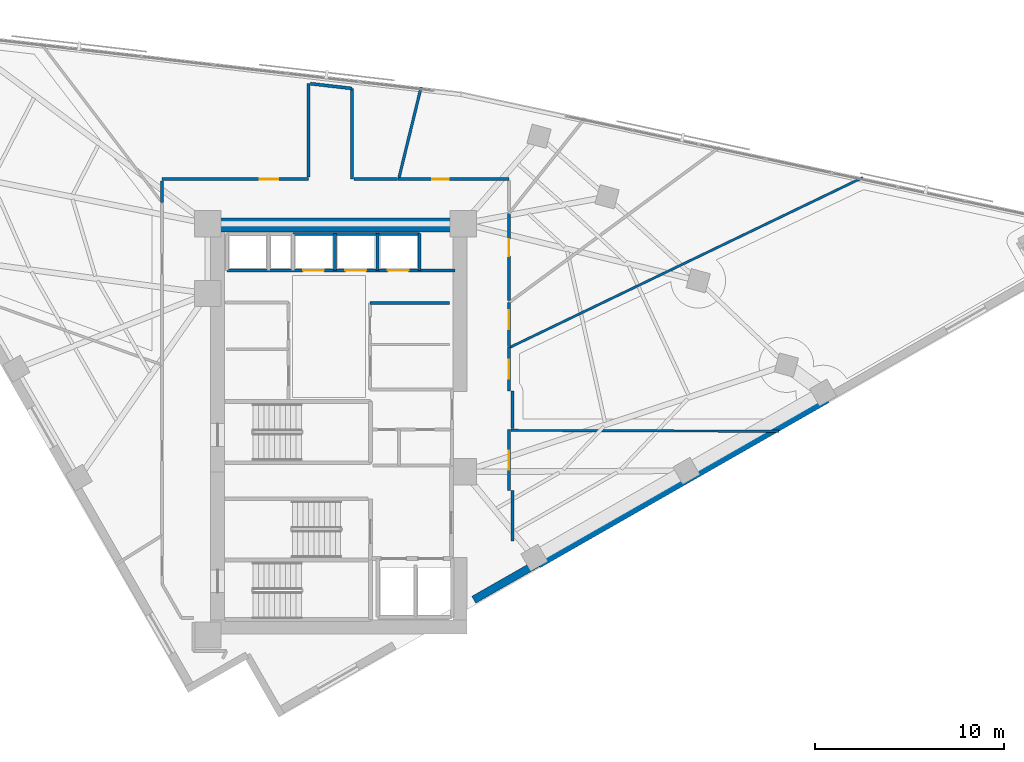
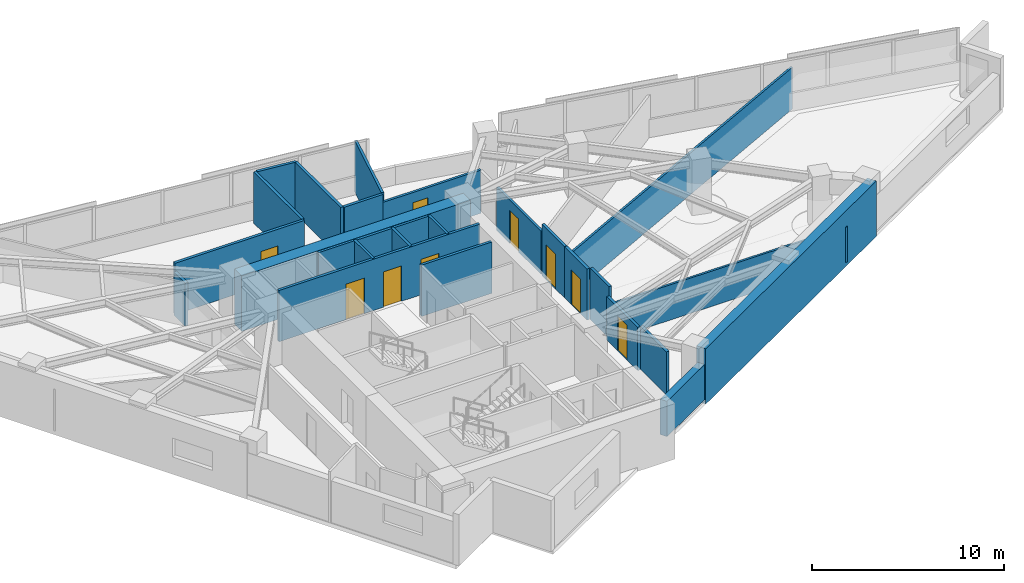
# One storey, part 10 of 14: 25 walls, 9 doors, 9 openings.
"""IFC4 building model written with IfcOpenShell, lengths in metres."""

from ifc_helpers import new_model, si_unit, direction, frame, frame_2d, origin, place, context, subcontext, project, spatial, rectangle, extrude, material, layer, layer_set, type_object, element, fill, save


model = new_model("IFC4")

# Units and contexts
model_context = context("Model", 3, precision=1e-05, world=origin(), true_north=direction((0.0, 1.0)))
body_context = subcontext(model_context, "Body", "Model", "MODEL_VIEW")
ifc_project = project(units=[si_unit("LENGTHUNIT", "METRE"), si_unit("AREAUNIT", "SQUARE_METRE"), si_unit("VOLUMEUNIT", "CUBIC_METRE"), si_unit("PLANEANGLEUNIT", "RADIAN"), si_unit("MASSUNIT", "GRAM", prefix="KILO")], contexts=[model_context])

# Site, building, storey
site_placement = place(None, origin())
site = spatial("IfcSite", under=ifc_project, at=site_placement, CompositionType="ELEMENT")
building_placement = place(site_placement, origin())
building = spatial("IfcBuilding", under=site, at=building_placement, Name="Narakoshi Arena Tower", CompositionType="ELEMENT")
storey_placement = place(building_placement, frame((0.0, 0.0, 204.419921875)))
storey = spatial("IfcBuildingStorey", under=building, at=storey_placement, Name="L55", CompositionType="ELEMENT", Elevation=204.419921875)

# Wall
ifc_material_1 = material(Name="Concrete C50/60", Category="concrete")
ifc_layer_1 = layer(ifc_material_1, 0.75)
ifc_layer_set_1 = layer_set([ifc_layer_1], Name="Concrete C50/60")
wall_type_1 = type_object("IfcWallType", Name="WL-CORE-750", PredefinedType="SHEAR", material=ifc_layer_set_1)
wall_1_placement = place(storey_placement, frame((72.0, 56.425048828125, -0.260009765625), z_axis=(0.0, 0.0, 1.0), x_axis=(1.0, 0.0, 0.0)))
element("IfcWall", 1, at=wall_1_placement, inside=storey, type_object=wall_type_1, Name="L55 Main Core Shear Wall CW-MN-N", PredefinedType="SHEAR", context=body_context, shape_type="SweptSolid", body=[
    extrude(rectangle(XDim=13.75, YDim=0.75, at=frame_2d((6.875, 0.0))), origin(), (0.0, 0.0, 1.0), 3.52001953125),
])

# Wall, opening, door
ifc_material_2 = material(Name="Gypsum plasterboard fire-rated partition")
ifc_layer_2 = layer(ifc_material_2, 0.1650390625)
ifc_layer_set_2 = layer_set([ifc_layer_2], Name="Gypsum plasterboard fire-rated partition")
wall_type_2 = type_object("IfcWallType", Name="WL-CORR-165", PredefinedType="PARTITIONING", material=ifc_layer_set_2)
wall_2_placement = place(storey_placement, frame((87.966796875, 42.35009765625, 0.0), z_axis=(0.0, 0.0, 1.0), x_axis=(0.0, 1.0, 0.0)))
wall_2 = element("IfcWall", 2, at=wall_2_placement, inside=storey, type_object=wall_type_2, Name="L55 Corridor Partition 02-1", PredefinedType="PARTITIONING", context=body_context, shape_type="SweptSolid", body=[
    extrude(rectangle(XDim=3.22998046875, YDim=0.1650390625, at=frame_2d((1.614990234375, 0.0))), origin(), (0.0, 0.0, 1.0), 2.7451171875),
])
opening_1_placement = place(wall_2_placement, frame((1.114990234375, 0.0, 0.0)))
opening_1 = element("IfcOpeningElement", 3, at=opening_1_placement, cuts=wall_2, Name="Opening D-06", PredefinedType="OPENING", context=body_context, shape_type="SweptSolid", body=[
    extrude(rectangle(XDim=1.0, YDim=2.199951171875, at=frame_2d((0.5, 1.10009765625))), frame((0.0, 0.092529296875, 0.0), z_axis=(0.0, -1.0, 0.0), x_axis=(1.0, 0.0, 0.0)), (0.0, 0.0, 1.0), 0.18505859375),
])
ifc_material_3 = material(Name="Stained oak solid-core timber", Category="wood")
door_type_1 = type_object("IfcDoorType", Name="DR-OFF-1000", OperationType="NOTDEFINED", PredefinedType="DOOR", material=ifc_material_3)
door_1_placement = place(opening_1_placement, frame((1.0, 0.0, 0.0), z_axis=(0.0, 0.0, 1.0), x_axis=(-1.0, 0.0, 0.0)))
door_1 = element("IfcDoor", 4, at=door_1_placement, inside=storey, type_object=door_type_1, Name="DR-L55-018", OperationType="SINGLE_SWING_RIGHT", OverallHeight=2.199951171875, OverallWidth=1.0, PredefinedType="DOOR", context=body_context, shape_type="SweptSolid", body=[
    extrude(rectangle(XDim=1.0, YDim=2.199951171875, at=frame_2d((0.5, 1.10009765625))), frame((0.0, 0.02490234375, 0.0), z_axis=(0.0, -1.0, 0.0), x_axis=(1.0, 0.0, 0.0)), (0.0, 0.0, 1.0), 0.050048828125),
])
fill(opening_1, door_1)

# Wall
wall_3_placement = place(storey_placement, frame((88.14990234375, 39.669189453125, 0.0), z_axis=(0.0, 0.0, 1.0), x_axis=(0.0, 1.0, 0.0)))
element("IfcWall", 5, at=wall_3_placement, inside=storey, type_object=wall_type_2, Name="L55 Corridor Partition 02-2", PredefinedType="PARTITIONING", context=body_context, shape_type="SweptSolid", body=[
    extrude(rectangle(XDim=2.680908203125, YDim=0.1650390625, at=frame_2d((1.34033203125, 0.0))), origin(), (0.0, 0.0, 1.0), 2.7451171875),
])

# Wall, opening, door
wall_4_placement = place(storey_placement, frame((87.966796875, 47.6201171875, 0.0), z_axis=(0.0, 0.0, 1.0), x_axis=(0.0, 1.0, 0.0)))
wall_4 = element("IfcWall", 6, at=wall_4_placement, inside=storey, type_object=wall_type_2, Name="L55 Corridor Partition 03-1", PredefinedType="PARTITIONING", context=body_context, shape_type="SweptSolid", body=[
    extrude(rectangle(XDim=2.3349609375, YDim=0.1650390625, at=frame_2d((1.16748046875, 0.0))), origin(), (0.0, 0.0, 1.0), 3.260009765625),
])
opening_2_placement = place(wall_4_placement, frame((0.66748046875, 0.0, 0.0)))
opening_2 = element("IfcOpeningElement", 7, at=opening_2_placement, cuts=wall_4, Name="Opening D-06", PredefinedType="OPENING", context=body_context, shape_type="SweptSolid", body=[
    extrude(rectangle(XDim=1.0, YDim=2.199951171875, at=frame_2d((0.5, 1.10009765625))), frame((0.0, 0.092529296875, 0.0), z_axis=(0.0, -1.0, 0.0), x_axis=(1.0, 0.0, 0.0)), (0.0, 0.0, 1.0), 0.18505859375),
])
door_2_placement = place(opening_2_placement, frame((1.0, 0.0, 0.0), z_axis=(0.0, 0.0, 1.0), x_axis=(-1.0, 0.0, 0.0)))
door_2 = element("IfcDoor", 8, at=door_2_placement, inside=storey, type_object=door_type_1, Name="DR-L55-019", OperationType="SINGLE_SWING_LEFT", OverallHeight=2.199951171875, OverallWidth=1.0, PredefinedType="DOOR", context=body_context, shape_type="SweptSolid", body=[
    extrude(rectangle(XDim=1.0, YDim=2.199951171875, at=frame_2d((0.5, 1.10009765625))), frame((0.0, 0.02490234375, 0.0), z_axis=(0.0, -1.0, 0.0), x_axis=(1.0, 0.0, 0.0)), (0.0, 0.0, 1.0), 0.050048828125),
])
fill(opening_2, door_2)

# Wall
wall_5_placement = place(storey_placement, frame((88.14990234375, 45.64990234375, 0.0), z_axis=(0.0, 0.0, 1.0), x_axis=(0.0, 1.0, 0.0)))
element("IfcWall", 9, at=wall_5_placement, inside=storey, type_object=wall_type_2, Name="L55 Corridor Partition 03-2", PredefinedType="PARTITIONING", context=body_context, shape_type="SweptSolid", body=[
    extrude(rectangle(XDim=1.97021484375, YDim=0.1650390625, at=frame_2d((0.985107421875, 0.0))), origin(), (0.0, 0.0, 1.0), 3.260009765625),
])

# Wall, opening, door
wall_6_placement = place(storey_placement, frame((87.966796875, 49.981689453125, 0.0), z_axis=(0.0, 0.0, 1.0), x_axis=(0.0, 1.0, 0.0)))
wall_6 = element("IfcWall", 10, at=wall_6_placement, inside=storey, type_object=wall_type_2, Name="L55 Corridor Partition 04-1", PredefinedType="PARTITIONING", context=body_context, shape_type="SweptSolid", body=[
    extrude(rectangle(XDim=2.335205078125, YDim=0.1650390625, at=frame_2d((1.16748046875, 0.0))), origin(), (0.0, 0.0, 1.0), 3.260009765625),
])
opening_3_placement = place(wall_6_placement, frame((0.929443359375, 0.0, 0.0)))
opening_3 = element("IfcOpeningElement", 11, at=opening_3_placement, cuts=wall_6, Name="Opening D-06", PredefinedType="OPENING", context=body_context, shape_type="SweptSolid", body=[
    extrude(rectangle(XDim=1.0, YDim=2.199951171875, at=frame_2d((0.5, 1.10009765625))), frame((0.0, 0.092529296875, 0.0), z_axis=(0.0, -1.0, 0.0), x_axis=(1.0, 0.0, 0.0)), (0.0, 0.0, 1.0), 0.18505859375),
])
door_3_placement = place(opening_3_placement, frame((1.0, 0.0, 0.0), z_axis=(0.0, 0.0, 1.0), x_axis=(-1.0, 0.0, 0.0)))
door_3 = element("IfcDoor", 12, at=door_3_placement, inside=storey, type_object=door_type_1, Name="DR-L55-020", OperationType="SINGLE_SWING_RIGHT", OverallHeight=2.199951171875, OverallWidth=1.0, PredefinedType="DOOR", context=body_context, shape_type="SweptSolid", body=[
    extrude(rectangle(XDim=1.0, YDim=2.199951171875, at=frame_2d((0.5, 1.10009765625))), frame((0.0, 0.02490234375, 0.0), z_axis=(0.0, -1.0, 0.0), x_axis=(1.0, 0.0, 0.0)), (0.0, 0.0, 1.0), 0.050048828125),
])
fill(opening_3, door_3)

wall_7_placement = place(storey_placement, frame((77.35009765625, 58.86669921875, 0.0), z_axis=(0.0, 0.0, 1.0), x_axis=(-1.0, 0.0, 0.0)))
wall_7 = element("IfcWall", 13, at=wall_7_placement, inside=storey, type_object=wall_type_2, Name="L55 Corridor Partition 07-1", PredefinedType="PARTITIONING", context=body_context, shape_type="SweptSolid", body=[
    extrude(rectangle(XDim=7.766845703125, YDim=0.1650390625, at=frame_2d((3.88330078125, 0.0))), origin(), (0.0, 0.0, 1.0), 3.260009765625),
])
opening_4_placement = place(wall_7_placement, frame((1.6005859375, 0.0, 0.0)))
opening_4 = element("IfcOpeningElement", 14, at=opening_4_placement, cuts=wall_7, Name="Opening D-06", PredefinedType="OPENING", context=body_context, shape_type="SweptSolid", body=[
    extrude(rectangle(XDim=1.0, YDim=2.199951171875, at=frame_2d((0.5, 1.10009765625))), frame((0.0, 0.092529296875, 0.0), z_axis=(0.0, -1.0, 0.0), x_axis=(1.0, 0.0, 0.0)), (0.0, 0.0, 1.0), 0.18505859375),
])
door_4_placement = place(opening_4_placement, frame((1.0, 0.0, 0.0), z_axis=(0.0, 0.0, 1.0), x_axis=(-1.0, 0.0, 0.0)))
door_4 = element("IfcDoor", 15, at=door_4_placement, inside=storey, type_object=door_type_1, Name="DR-L55-023", OperationType="SINGLE_SWING_LEFT", OverallHeight=2.199951171875, OverallWidth=1.0, PredefinedType="DOOR", context=body_context, shape_type="SweptSolid", body=[
    extrude(rectangle(XDim=1.0, YDim=2.199951171875, at=frame_2d((0.5, 1.10009765625))), frame((0.0, 0.02490234375, 0.0), z_axis=(0.0, -1.0, 0.0), x_axis=(1.0, 0.0, 0.0)), (0.0, 0.0, 1.0), 0.050048828125),
])
fill(opening_4, door_4)

# Walls
wall_8_placement = place(storey_placement, frame((77.35009765625, 63.930908203125, 0.0), z_axis=(0.0, 0.0, 1.0), x_axis=(0.0, -1.0, 0.0)))
element("IfcWall", 16, at=wall_8_placement, inside=storey, type_object=wall_type_2, Name="L55 Corridor Partition 07-2", PredefinedType="PARTITIONING", context=body_context, shape_type="SweptSolid", body=[
    extrude(rectangle(XDim=4.9697265625, YDim=0.1650390625, at=frame_2d((2.48486328125, 0.0))), origin(), (0.0, 0.0, 1.0), 3.260009765625),
])
wall_9_placement = place(storey_placement, frame((79.64990234375, 58.86669921875, 0.0), z_axis=(0.0, 0.0, 1.0), x_axis=(0.0, 1.0, 0.0)))
element("IfcWall", 17, at=wall_9_placement, inside=storey, type_object=wall_type_2, Name="L55 Corridor Partition 07-3", PredefinedType="PARTITIONING", context=body_context, shape_type="SweptSolid", body=[
    extrude(rectangle(XDim=4.7978515625, YDim=0.1650390625, at=frame_2d((2.39892578125, 0.0))), origin(), (0.0, 0.0, 1.0), 3.260009765625),
])
wall_10_placement = place(storey_placement, frame((82.05859375, 58.86669921875, 0.0), z_axis=(0.0, 0.0, 1.0), x_axis=(-1.0, 0.0, 0.0)))
element("IfcWall", 18, at=wall_10_placement, inside=storey, type_object=wall_type_2, Name="L55 Corridor Partition 07-4", PredefinedType="PARTITIONING", context=body_context, shape_type="SweptSolid", body=[
    extrude(rectangle(XDim=2.314208984375, YDim=0.1650390625, at=frame_2d((1.1572265625, 0.0))), origin(), (0.0, 0.0, 1.0), 3.260009765625),
])
wall_11_placement = place(storey_placement, frame((79.64990234375, 63.66455078125, 0.0), z_axis=(0.0, 0.0, 1.0), x_axis=(-0.993362136032, 0.115028981987, 0.0)))
element("IfcWall", 19, at=wall_11_placement, inside=storey, type_object=wall_type_2, Name="L55 Corridor Partition 07-5", PredefinedType="PARTITIONING", context=body_context, shape_type="SweptSolid", body=[
    extrude(rectangle(XDim=2.219970703125, YDim=0.1650390625, at=frame_2d((1.10986328125, 0.0))), origin(), (0.0, 0.0, 1.0), 3.260009765625),
])
wall_12_placement = place(storey_placement, frame((69.583251953125, 58.772216796875, 0.0), z_axis=(0.0, 0.0, 1.0), x_axis=(0.0, -1.0, 0.0)))
element("IfcWall", 20, at=wall_12_placement, inside=storey, type_object=wall_type_2, Name="L55 Corridor Partition 07-6", PredefinedType="PARTITIONING", context=body_context, shape_type="SweptSolid", body=[
    extrude(rectangle(XDim=1.16259765625, YDim=0.1650390625, at=frame_2d((0.581298828125, 0.0))), origin(), (0.0, 0.0, 1.0), 2.7451171875),
])
ifc_layer_3 = layer(ifc_material_1, 0.550048828125)
ifc_layer_set_3 = layer_set([ifc_layer_3], Name="Concrete C50/60")
wall_type_3 = type_object("IfcWallType", Name="WL-LEG-550", PredefinedType="SHEAR", material=ifc_layer_set_3)
wall_13_placement = place(storey_placement, frame((89.479248046875, 38.4990234375, -0.260009765625), z_axis=(0.0, 0.0, 1.0), x_axis=(0.868197136736, 0.496219439123, 0.0)))
element("IfcWall", 21, at=wall_13_placement, inside=storey, type_object=wall_type_3, Name="L55 Architectural Concrete Structural Wall LEGA-3", PredefinedType="SHEAR", context=body_context, shape_type="SweptSolid", body=[
    extrude(rectangle(XDim=17.63623046875, YDim=0.550048828125, at=frame_2d((8.818115234375, 0.0))), origin(), (0.0, 0.0, 1.0), 3.52001953125),
])
ifc_layer_4 = layer(ifc_material_2, 0.125)
ifc_layer_set_4 = layer_set([ifc_layer_4], Name="Gypsum plasterboard fire-rated partition")
wall_type_4 = type_object("IfcWallType", Name="WL-PART-125", PredefinedType="PARTITIONING", material=ifc_layer_set_4)
wall_14_placement = place(storey_placement, frame((88.061279296875, 45.543701171875, 0.0), z_axis=(0.0, 0.0, 1.0), x_axis=(0.999994844725, -0.003211000497, 0.0)))
element("IfcWall", 22, at=wall_14_placement, inside=storey, type_object=wall_type_4, Name="L55 Inter-Room Partition 02-03", PredefinedType="PARTITIONING", context=body_context, shape_type="SweptSolid", body=[
    extrude(rectangle(XDim=14.218017578125, YDim=0.125, at=frame_2d((7.10888671875, 0.0))), origin(), (0.0, 0.0, 1.0), 2.2451171875),
])
wall_15_placement = place(storey_placement, frame((88.035888671875, 49.955078125, 0.0), z_axis=(0.0, 0.0, 1.0), x_axis=(0.90105618902, 0.433702368253, 0.0)))
element("IfcWall", 23, at=wall_15_placement, inside=storey, type_object=wall_type_4, Name="L55 Inter-Room Partition 03-04", PredefinedType="PARTITIONING", context=body_context, shape_type="SweptSolid", body=[
    extrude(rectangle(XDim=20.741943359375, YDim=0.125, at=frame_2d((10.37109375, 0.0))), origin(), (0.0, 0.0, 1.0), 2.64501953125),
])
ifc_material_4 = material(Name="Precast concrete C45/55", Category="concrete")
ifc_layer_5 = layer(ifc_material_4, 0.419921875)
ifc_layer_set_5 = layer_set([ifc_layer_5], Name="Precast concrete C45/55")
wall_type_5 = type_object("IfcWallType", Name="WL-POD-420", PredefinedType="SOLIDWALL", material=ifc_layer_set_5)
wall_16_placement = place(storey_placement, frame((86.10009765625, 36.567626953125, 0.0), z_axis=(0.0, 0.0, 1.0), x_axis=(0.868192956745, 0.496226752461, 0.0)))
element("IfcWall", 24, at=wall_16_placement, inside=storey, type_object=wall_type_5, Name="L55 Architectural Concrete Facade Wall LEGA-2", PredefinedType="SOLIDWALL", context=body_context, shape_type="SweptSolid", body=[
    extrude(rectangle(XDim=3.89208984375, YDim=0.419921875, at=frame_2d((1.946044921875, 0.0))), origin(), (0.0, 0.0, 1.0), 2.2451171875),
])
ifc_material_5 = material(Name="Concrete C40/50", Category="concrete")
ifc_layer_6 = layer(ifc_material_5, 0.280029296875)
ifc_layer_set_6 = layer_set([ifc_layer_6], Name="Concrete C40/50")
wall_type_6 = type_object("IfcWallType", Name="WL-RISER-280", PredefinedType="PLUMBINGWALL", material=ifc_layer_set_6)
for number, where, z_axis, x_axis, name in (
    (25, (78.75, 54.02001953125, 0.0), (0.0, 0.0, 1.0), (0.0, 1.0, 0.0), "L55 Core Wall HR-D1"),
    (26, (81.0, 54.02001953125, 0.0), (0.0, 0.0, 1.0), (0.0, 1.0, 0.0), "L55 Core Wall HR-D2"),
):
    element("IfcWall", number, at=place(storey_placement, frame(where, z_axis=z_axis, x_axis=x_axis)), inside=storey, type_object=wall_type_6, Name=name, PredefinedType="PLUMBINGWALL", context=body_context, shape_type="SweptSolid", body=[
        extrude(rectangle(XDim=1.9599609375, YDim=0.14990234375, at=frame_2d((0.97998046875, 0.0))), origin(), (0.0, 0.0, 1.0), 3.260009765625),
    ])
ifc_layer_7 = layer(ifc_material_1, 0.35009765625)
ifc_layer_set_7 = layer_set([ifc_layer_7], Name="Concrete C50/60")
wall_type_7 = type_object("IfcWallType", Name="WL-SHAFT-350", PredefinedType="SOLIDWALL", material=ifc_layer_set_7)
wall_17_placement = place(storey_placement, frame((80.60009765625, 52.300048828125, 0.0), z_axis=(0.0, 0.0, 1.0), x_axis=(1.0, 0.0, 0.0)))
element("IfcWall", 27, at=wall_17_placement, inside=storey, type_object=wall_type_7, Name="L55 Core Wall MR-N", PredefinedType="SOLIDWALL", context=body_context, shape_type="SweptSolid", body=[
    extrude(rectangle(XDim=4.219970703125, YDim=0.159912109375, at=frame_2d((2.10986328125, 0.0))), origin(), (0.0, 0.0, 1.0), 3.260009765625),
])

# Wall, openings, doors
wall_18_placement = place(storey_placement, frame((73.02001953125, 54.02001953125, 0.0), z_axis=(0.0, 0.0, 1.0), x_axis=(1.0, 0.0, 0.0)))
wall_18 = element("IfcWall", 28, at=wall_18_placement, inside=storey, type_object=wall_type_7, Name="L55 Core Wall NSHF-S", PredefinedType="SOLIDWALL", context=body_context, shape_type="SweptSolid", body=[
    extrude(rectangle(XDim=12.080078125, YDim=0.159912109375, at=frame_2d((6.0400390625, 0.0))), origin(), (0.0, 0.0, 1.0), 3.260009765625),
])
opening_5_placement = place(wall_18_placement, frame((4.030029296875, 0.0, 0.0)))
opening_5 = element("IfcOpeningElement", 29, at=opening_5_placement, cuts=wall_18, Name="Opening LD-01", PredefinedType="OPENING", context=body_context, shape_type="SweptSolid", body=[
    extrude(rectangle(XDim=1.10009765625, YDim=2.25, at=frame_2d((0.550048828125, 1.125))), frame((0.0, 0.08984375, 0.0), z_axis=(0.0, -1.0, 0.0), x_axis=(1.0, 0.0, 0.0)), (0.0, 0.0, 1.0), 0.179931640625),
])
opening_6_placement = place(wall_18_placement, frame((6.280029296875, 0.0, 0.0)))
opening_6 = element("IfcOpeningElement", 30, at=opening_6_placement, cuts=wall_18, Name="Opening LD-01", PredefinedType="OPENING", context=body_context, shape_type="SweptSolid", body=[
    extrude(rectangle(XDim=1.10009765625, YDim=2.25, at=frame_2d((0.550048828125, 1.125))), frame((0.0, 0.08984375, 0.0), z_axis=(0.0, -1.0, 0.0), x_axis=(1.0, 0.0, 0.0)), (0.0, 0.0, 1.0), 0.179931640625),
])
opening_7_placement = place(wall_18_placement, frame((8.530029296875, 0.0, 0.0)))
opening_7 = element("IfcOpeningElement", 31, at=opening_7_placement, cuts=wall_18, Name="Opening LD-01", PredefinedType="OPENING", context=body_context, shape_type="SweptSolid", body=[
    extrude(rectangle(XDim=1.10009765625, YDim=2.25, at=frame_2d((0.550048828125, 1.125))), frame((0.0, 0.08984375, 0.0), z_axis=(0.0, -1.0, 0.0), x_axis=(1.0, 0.0, 0.0)), (0.0, 0.0, 1.0), 0.179931640625),
])
ifc_material_6 = material(Name="Brushed bronze stainless steel", Category="steel")
door_type_2 = type_object("IfcDoorType", Name="DR-LFT-1100", OperationType="DOUBLE_DOOR_SLIDING", PredefinedType="DOOR", material=ifc_material_6)
door_5_placement = place(opening_5_placement, origin())
door_5 = element("IfcDoor", 32, at=door_5_placement, inside=storey, type_object=door_type_2, Name="DR-L55-014", OperationType="DOUBLE_DOOR_SLIDING", OverallHeight=2.25, OverallWidth=1.10009765625, PredefinedType="DOOR", context=body_context, shape_type="SweptSolid", body=[
    extrude(rectangle(XDim=1.10009765625, YDim=2.25, at=frame_2d((0.550048828125, 1.125))), frame((0.0, 0.02490234375, 0.0), z_axis=(0.0, -1.0, 0.0), x_axis=(1.0, 0.0, 0.0)), (0.0, 0.0, 1.0), 0.050048828125),
])
fill(opening_5, door_5)
door_6_placement = place(opening_6_placement, origin())
door_6 = element("IfcDoor", 33, at=door_6_placement, inside=storey, type_object=door_type_2, Name="DR-L55-015", OperationType="DOUBLE_DOOR_SLIDING", OverallHeight=2.25, OverallWidth=1.10009765625, PredefinedType="DOOR", context=body_context, shape_type="SweptSolid", body=[
    extrude(rectangle(XDim=1.10009765625, YDim=2.25, at=frame_2d((0.550048828125, 1.125))), frame((0.0, 0.02490234375, 0.0), z_axis=(0.0, -1.0, 0.0), x_axis=(1.0, 0.0, 0.0)), (0.0, 0.0, 1.0), 0.050048828125),
])
fill(opening_6, door_6)
door_7_placement = place(opening_7_placement, origin())
door_7 = element("IfcDoor", 34, at=door_7_placement, inside=storey, type_object=door_type_2, Name="DR-L55-016", OperationType="DOUBLE_DOOR_SLIDING", OverallHeight=2.25, OverallWidth=1.10009765625, PredefinedType="DOOR", context=body_context, shape_type="SweptSolid", body=[
    extrude(rectangle(XDim=1.10009765625, YDim=2.25, at=frame_2d((0.550048828125, 1.125))), frame((0.0, 0.02490234375, 0.0), z_axis=(0.0, -1.0, 0.0), x_axis=(1.0, 0.0, 0.0)), (0.0, 0.0, 1.0), 0.050048828125),
])
fill(opening_7, door_7)

# Walls
wall_19_placement = place(storey_placement, frame((83.219970703125, 54.02001953125, 0.0), z_axis=(0.0, 0.0, 1.0), x_axis=(0.0, 1.0, 0.0)))
element("IfcWall", 35, at=wall_19_placement, inside=storey, type_object=wall_type_7, Name="L55 Core Wall HR-E", PredefinedType="SOLIDWALL", context=body_context, shape_type="SweptSolid", body=[
    extrude(rectangle(XDim=1.9599609375, YDim=0.14990234375, at=frame_2d((0.97998046875, 0.0))), origin(), (0.0, 0.0, 1.0), 3.260009765625),
])
wall_20_placement = place(storey_placement, frame((76.52001953125, 55.9599609375, 0.0), z_axis=(0.0, 0.0, 1.0), x_axis=(1.0, 0.0, 0.0)))
element("IfcWall", 36, at=wall_20_placement, inside=storey, type_object=wall_type_7, Name="L55 Core Wall HR-N", PredefinedType="SOLIDWALL", context=body_context, shape_type="SweptSolid", body=[
    extrude(rectangle(XDim=6.699951171875, YDim=0.14990234375, at=frame_2d((3.35009765625, 0.0))), origin(), (0.0, 0.0, 1.0), 3.260009765625),
])

# Wall, opening, door
ifc_material_7 = material(Name="Moisture-resistant cement-board partition")
ifc_layer_8 = layer(ifc_material_7, 0.14501953125)
ifc_layer_set_8 = layer_set([ifc_layer_8], Name="Moisture-resistant cement-board partition")
wall_type_8 = type_object("IfcWallType", Name="WL-WET-145", PredefinedType="PARTITIONING", material=ifc_layer_set_8)
wall_21_placement = place(storey_placement, frame((87.966796875, 52.421875, 0.0), z_axis=(0.0, 0.0, 1.0), x_axis=(0.0, 1.0, 0.0)))
wall_21 = element("IfcWall", 37, at=wall_21_placement, inside=storey, type_object=wall_type_8, Name="L55 Corridor Partition 05-1", PredefinedType="PARTITIONING", context=body_context, shape_type="SweptSolid", body=[
    extrude(rectangle(XDim=4.621337890625, YDim=0.14501953125, at=frame_2d((2.310546875, 0.0))), origin(), (0.0, 0.0, 1.0), 2.7451171875),
])
opening_8_placement = place(wall_21_placement, frame((2.35888671875, 0.0, 0.0)))
opening_8 = element("IfcOpeningElement", 38, at=opening_8_placement, cuts=wall_21, Name="Opening D-08", PredefinedType="OPENING", context=body_context, shape_type="SweptSolid", body=[
    extrude(rectangle(XDim=0.89990234375, YDim=2.10009765625, at=frame_2d((0.449951171875, 1.050048828125))), frame((0.0, 0.08251953125, 0.0), z_axis=(0.0, -1.0, 0.0), x_axis=(1.0, 0.0, 0.0)), (0.0, 0.0, 1.0), 0.1650390625),
])
ifc_material_8 = material(Name="Moisture-resistant laminate timber", Category="wood")
door_type_3 = type_object("IfcDoorType", Name="DR-WC-900", OperationType="NOTDEFINED", PredefinedType="DOOR", material=ifc_material_8)
door_8_placement = place(opening_8_placement, frame((0.89990234375, 0.0, 0.0), z_axis=(0.0, 0.0, 1.0), x_axis=(-1.0, 0.0, 0.0)))
door_8 = element("IfcDoor", 39, at=door_8_placement, inside=storey, type_object=door_type_3, Name="DR-L55-021", OperationType="SINGLE_SWING_RIGHT", OverallHeight=2.10009765625, OverallWidth=0.89990234375, PredefinedType="DOOR", context=body_context, shape_type="SweptSolid", body=[
    extrude(rectangle(XDim=0.89990234375, YDim=2.10009765625, at=frame_2d((0.449951171875, 1.050048828125))), frame((0.0, 0.02490234375, 0.0), z_axis=(0.0, -1.0, 0.0), x_axis=(1.0, 0.0, 0.0)), (0.0, 0.0, 1.0), 0.050048828125),
])
fill(opening_8, door_8)

wall_22_placement = place(storey_placement, frame((87.966796875, 58.86669921875, 0.0), z_axis=(0.0, 0.0, 1.0), x_axis=(-1.0, 0.0, 0.0)))
wall_22 = element("IfcWall", 40, at=wall_22_placement, inside=storey, type_object=wall_type_8, Name="L55 Corridor Partition 06-1", PredefinedType="PARTITIONING", context=body_context, shape_type="SweptSolid", body=[
    extrude(rectangle(XDim=5.883544921875, YDim=0.14501953125, at=frame_2d((2.94189453125, 0.0))), origin(), (0.0, 0.0, 1.0), 2.7451171875),
])
opening_9_placement = place(wall_22_placement, frame((3.17919921875, 0.0, 0.0)))
opening_9 = element("IfcOpeningElement", 41, at=opening_9_placement, cuts=wall_22, Name="Opening D-08", PredefinedType="OPENING", context=body_context, shape_type="SweptSolid", body=[
    extrude(rectangle(XDim=0.89990234375, YDim=2.10009765625, at=frame_2d((0.449951171875, 1.050048828125))), frame((0.0, 0.08251953125, 0.0), z_axis=(0.0, -1.0, 0.0), x_axis=(1.0, 0.0, 0.0)), (0.0, 0.0, 1.0), 0.1650390625),
])
door_9_placement = place(opening_9_placement, frame((0.89990234375, 0.0, 0.0), z_axis=(0.0, 0.0, 1.0), x_axis=(-1.0, 0.0, 0.0)))
door_9 = element("IfcDoor", 42, at=door_9_placement, inside=storey, type_object=door_type_3, Name="DR-L55-022", OperationType="SINGLE_SWING_LEFT", OverallHeight=2.10009765625, OverallWidth=0.89990234375, PredefinedType="DOOR", context=body_context, shape_type="SweptSolid", body=[
    extrude(rectangle(XDim=0.89990234375, YDim=2.10009765625, at=frame_2d((0.449951171875, 1.050048828125))), frame((0.0, 0.02490234375, 0.0), z_axis=(0.0, -1.0, 0.0), x_axis=(1.0, 0.0, 0.0)), (0.0, 0.0, 1.0), 0.050048828125),
])
fill(opening_9, door_9)

# Wall
wall_23_placement = place(storey_placement, frame((82.14111328125, 58.951416015625, 0.0), z_axis=(0.0, 0.0, 1.0), x_axis=(0.237338941626, 0.971426902442, 0.0)))
element("IfcWall", 43, at=wall_23_placement, inside=storey, type_object=wall_type_8, Name="L55 Inter-Room Partition 06-07", PredefinedType="PARTITIONING", context=body_context, shape_type="SweptSolid", body=[
    extrude(rectangle(XDim=4.933349609375, YDim=0.14501953125, at=frame_2d((2.466796875, 0.0))), origin(), (0.0, 0.0, 1.0), 3.260009765625),
])

save(model, "model.ifc")
